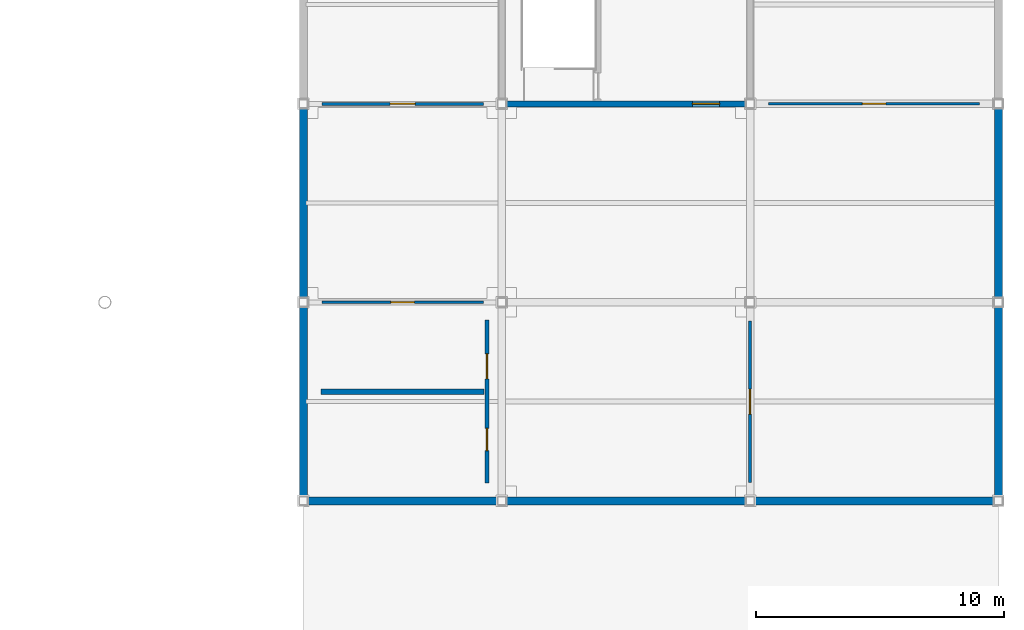
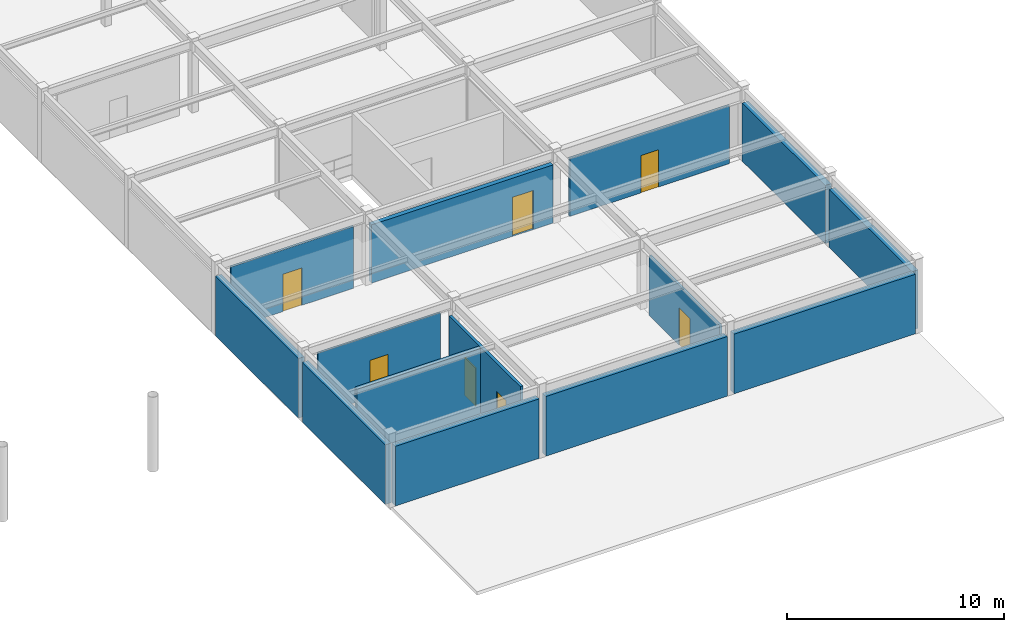
# One storey, part 56 of 78: 14 walls, 7 doors, 7 openings.
"""IFC4 building model written with IfcOpenShell, lengths in metres."""

from ifc_helpers import new_model, si_unit, direction, frame, frame_2d, origin, place, context, subcontext, project, spatial, rectangle, extrude, material, layer, layer_set, type_object, element, fill, save


model = new_model("IFC4")

# Units and contexts
model_context = context("Model", 3, precision=1e-05, world=origin(), true_north=direction((0.0, 1.0)))
body_context = subcontext(model_context, "Body", "Model", "MODEL_VIEW")
ifc_project = project(units=[si_unit("LENGTHUNIT", "METRE"), si_unit("AREAUNIT", "SQUARE_METRE"), si_unit("VOLUMEUNIT", "CUBIC_METRE"), si_unit("PLANEANGLEUNIT", "RADIAN"), si_unit("MASSUNIT", "GRAM", prefix="KILO")], contexts=[model_context])

# Site, building, storey
site_placement = place(None, origin())
site = spatial("IfcSite", under=ifc_project, at=site_placement, CompositionType="ELEMENT")
building_placement = place(site_placement, origin())
building = spatial("IfcBuilding", under=site, at=building_placement, Name="Haebicheon Civic Stadium", CompositionType="ELEMENT")
storey_placement = place(building_placement, frame((0.0, 0.0, 18.60009765625)))
storey = spatial("IfcBuildingStorey", under=building, at=storey_placement, Name="L05", CompositionType="ELEMENT", Elevation=18.60009765625)

# Wall, opening, door
ifc_material_1 = material(Name="Concrete C40/50", Category="concrete")
ifc_layer_1 = layer(ifc_material_1, 0.239990234375, Name="Concrete C40/50")
ifc_layer_set_1 = layer_set([ifc_layer_1], Name="Concrete C40/50")
wall_type_1 = type_object("IfcWallType", Name="CW-SHR-240", PredefinedType="SHEAR", material=ifc_layer_set_1)
wall_1_placement = place(storey_placement, frame((216.175048828125, 64.0, 0.0), z_axis=(0.0, 0.0, 1.0), x_axis=(1.0, 0.0, 0.0)))
wall_1 = element("IfcWall", 1, at=wall_1_placement, inside=storey, type_object=wall_type_1, material=ifc_layer_set_1, Name="KC-12 L05 south core shear wall", PredefinedType="SHEAR", context=body_context, shape_type="SweptSolid", body=[
    extrude(rectangle(XDim=9.64990234375, YDim=0.239990234375, at=frame_2d((4.824951171875, 0.0))), origin(), (0.0, 0.0, 1.0), 3.27001953125),
])
opening_1_placement = place(wall_1_placement, frame((7.5, 0.0, 0.0)))
opening_1 = element("IfcOpeningElement", 2, at=opening_1_placement, cuts=wall_1, Name="Opening D-L05-KC-12-LOB", PredefinedType="OPENING", context=body_context, shape_type="SweptSolid", body=[
    extrude(rectangle(XDim=1.10009765625, YDim=2.199951171875, at=frame_2d((0.550048828125, 1.10009765625))), frame((0.0, 0.1298828125, 0.0), z_axis=(0.0, -1.0, 0.0), x_axis=(1.0, 0.0, 0.0)), (0.0, 0.0, 1.0), 0.260009765625),
])
ifc_material_2 = material(Name="Galvanised painted steel SM355", Category="steel")
door_type_1 = type_object("IfcDoorType", Name="ID-FD-1100", OperationType="NOTDEFINED", PredefinedType="DOOR", material=ifc_material_2)
door_1_placement = place(opening_1_placement, origin())
door_1 = element("IfcDoor", 3, at=door_1_placement, inside=storey, type_object=door_type_1, material=ifc_material_2, Name="L05 KC-12 lobby fire door", OperationType="SINGLE_SWING_LEFT", OverallHeight=2.199951171875, OverallWidth=1.10009765625, PredefinedType="DOOR", context=body_context, shape_type="SweptSolid", body=[
    extrude(rectangle(XDim=1.10009765625, YDim=2.199951171875, at=frame_2d((0.550048828125, 1.10009765625))), frame((0.0, 0.02490234375, 0.0), z_axis=(0.0, -1.0, 0.0), x_axis=(1.0, 0.0, 0.0)), (0.0, 0.0, 1.0), 0.050048828125),
])
fill(opening_1, door_1)

# Walls
ifc_material_3 = material(Name="Precast concrete C40/50", Category="concrete")
ifc_layer_2 = layer(ifc_material_3, 0.320068359375, Name="Precast concrete C40/50")
ifc_layer_set_2 = layer_set([ifc_layer_2], Name="Precast concrete C40/50")
wall_type_2 = type_object("IfcWallType", Name="EW-BM-320", PredefinedType="SOLIDWALL", material=ifc_layer_set_2)
for number, where, z_axis, x_axis, name in (
    (4, (208.175048828125, 48.0, 0.0), (0.0, 0.0, 1.0), (1.0, 0.0, 0.0), "L05 board-marked concrete facade wall 26-06-S"),
    (5, (208.0, 48.175048828125, 0.0), (0.0, 0.0, 1.0), (0.0, 1.0, 0.0), "L05 board-marked concrete facade wall 26-06-W"),
    (6, (208.0, 56.175048828125, 0.0), (0.0, 0.0, 1.0), (0.0, 1.0, 0.0), "L05 board-marked concrete facade wall 26-07-W"),
):
    element("IfcWall", number, at=place(storey_placement, frame(where, z_axis=z_axis, x_axis=x_axis)), inside=storey, type_object=wall_type_2, material=ifc_layer_set_2, Name=name, PredefinedType="SOLIDWALL", context=body_context, shape_type="SweptSolid", body=[
        extrude(rectangle(XDim=7.64990234375, YDim=0.320068359375, at=frame_2d((3.824951171875, 0.0))), origin(), (0.0, 0.0, 1.0), 3.349853515625),
    ])
for number, where, z_axis, x_axis, name in (
    (7, (216.175048828125, 48.0, 0.0), (0.0, 0.0, 1.0), (1.0, 0.0, 0.0), "L05 board-marked concrete facade wall 27-06-S"),
    (8, (226.175048828125, 48.0, 0.0), (0.0, 0.0, 1.0), (1.0, 0.0, 0.0), "L05 board-marked concrete facade wall 28-06-S"),
):
    element("IfcWall", number, at=place(storey_placement, frame(where, z_axis=z_axis, x_axis=x_axis)), inside=storey, type_object=wall_type_2, material=ifc_layer_set_2, Name=name, PredefinedType="SOLIDWALL", context=body_context, shape_type="SweptSolid", body=[
        extrude(rectangle(XDim=9.64990234375, YDim=0.320068359375, at=frame_2d((4.824951171875, 0.0))), origin(), (0.0, 0.0, 1.0), 3.349853515625),
    ])
for number, where, z_axis, x_axis, name in (
    (9, (236.0, 48.175048828125, 0.0), (0.0, 0.0, 1.0), (0.0, 1.0, 0.0), "L05 board-marked concrete facade wall 29-06-E"),
    (10, (236.0, 56.175048828125, 0.0), (0.0, 0.0, 1.0), (0.0, 1.0, 0.0), "L05 board-marked concrete facade wall 29-07-E"),
):
    element("IfcWall", number, at=place(storey_placement, frame(where, z_axis=z_axis, x_axis=x_axis)), inside=storey, type_object=wall_type_2, material=ifc_layer_set_2, Name=name, PredefinedType="SOLIDWALL", context=body_context, shape_type="SweptSolid", body=[
        extrude(rectangle(XDim=7.64990234375, YDim=0.320068359375, at=frame_2d((3.824951171875, 0.0))), origin(), (0.0, 0.0, 1.0), 3.27001953125),
    ])
ifc_material_4 = material(Name="Concrete C35/45", Category="concrete")
ifc_layer_3 = layer(ifc_material_4, 0.219970703125, Name="Concrete C35/45")
ifc_layer_set_3 = layer_set([ifc_layer_3], Name="Concrete C35/45")
wall_type_3 = type_object("IfcWallType", Name="IW-PLB-220", PredefinedType="PLUMBINGWALL", material=ifc_layer_set_3)
wall_2_placement = place(storey_placement, frame((208.719970703125, 52.39990234375, 0.0), z_axis=(0.0, 0.0, 1.0), x_axis=(1.0, 0.0, 0.0)))
element("IfcWall", 11, at=wall_2_placement, inside=storey, type_object=wall_type_3, material=ifc_layer_set_3, Name="L05 sanitary plumbing chase wall 18", PredefinedType="PLUMBINGWALL", context=body_context, shape_type="SweptSolid", body=[
    extrude(rectangle(XDim=6.56005859375, YDim=0.219970703125, at=frame_2d((3.280029296875, 0.0))), origin(), (0.0, 0.0, 1.0), 3.669921875),
])

# Wall, opening, door
ifc_material_5 = material(Name="Anodised aluminium and laminated glass", Category="aluminium")
ifc_layer_4 = layer(ifc_material_5, 0.10009765625, Name="Anodised aluminium and laminated glass")
ifc_layer_set_4 = layer_set([ifc_layer_4], Name="Anodised aluminium and laminated glass")
wall_type_4 = type_object("IfcWallType", Name="IW-PRT-100", PredefinedType="PARTITIONING", material=ifc_layer_set_4)
wall_3_placement = place(storey_placement, frame((208.75, 56.0, 0.0), z_axis=(0.0, 0.0, 1.0), x_axis=(1.0, 0.0, 0.0)))
wall_3 = element("IfcWall", 12, at=wall_3_placement, inside=storey, type_object=wall_type_4, material=ifc_layer_set_4, Name="L05 Community Stand Press Gallery partition wall", PredefinedType="PARTITIONING", context=body_context, shape_type="SweptSolid", body=[
    extrude(rectangle(XDim=6.5, YDim=0.10009765625, at=frame_2d((3.25, 0.0))), origin(), (0.0, 0.0, 1.0), 3.469970703125),
])
opening_2_placement = place(wall_3_placement, frame((2.77490234375, 0.0, 0.0)))
opening_2 = element("IfcOpeningElement", 13, at=opening_2_placement, cuts=wall_3, Name="Opening D-L05-437", PredefinedType="OPENING", context=body_context, shape_type="SweptSolid", body=[
    extrude(rectangle(XDim=0.949951171875, YDim=2.10009765625, at=frame_2d((0.47509765625, 1.050048828125))), frame((0.0, 0.06005859375, 0.0), z_axis=(0.0, -1.0, 0.0), x_axis=(1.0, 0.0, 0.0)), (0.0, 0.0, 1.0), 0.1201171875),
])
ifc_material_6 = material(Name="Engineered hardwood timber", Category="wood")
door_type_2 = type_object("IfcDoorType", Name="ID-RM-0950", OperationType="NOTDEFINED", PredefinedType="DOOR", material=ifc_material_6)
door_2_placement = place(opening_2_placement, origin())
door_2 = element("IfcDoor", 14, at=door_2_placement, inside=storey, type_object=door_type_2, material=ifc_material_6, Name="L05 Community Stand Press Gallery entrance door D-L05-437", OperationType="SINGLE_SWING_RIGHT", OverallHeight=2.10009765625, OverallWidth=0.949951171875, PredefinedType="DOOR", context=body_context, shape_type="SweptSolid", body=[
    extrude(rectangle(XDim=0.949951171875, YDim=2.10009765625, at=frame_2d((0.47509765625, 1.050048828125))), frame((0.0, 0.02490234375, 0.0), z_axis=(0.0, -1.0, 0.0), x_axis=(1.0, 0.0, 0.0)), (0.0, 0.0, 1.0), 0.050048828125),
])
fill(opening_2, door_2)

wall_4_placement = place(storey_placement, frame((226.75, 64.0, 0.0), z_axis=(0.0, 0.0, 1.0), x_axis=(1.0, 0.0, 0.0)))
wall_4 = element("IfcWall", 15, at=wall_4_placement, inside=storey, type_object=wall_type_4, material=ifc_layer_set_4, Name="L05 Community Stand Press Gallery partition wall", PredefinedType="PARTITIONING", context=body_context, shape_type="SweptSolid", body=[
    extrude(rectangle(XDim=8.5, YDim=0.10009765625, at=frame_2d((4.25, 0.0))), origin(), (0.0, 0.0, 1.0), 3.27001953125),
])
opening_3_placement = place(wall_4_placement, frame((3.77490234375, 0.0, 0.0)))
opening_3 = element("IfcOpeningElement", 16, at=opening_3_placement, cuts=wall_4, Name="Opening D-L05-443", PredefinedType="OPENING", context=body_context, shape_type="SweptSolid", body=[
    extrude(rectangle(XDim=0.949951171875, YDim=2.10009765625, at=frame_2d((0.47509765625, 1.050048828125))), frame((0.0, 0.06005859375, 0.0), z_axis=(0.0, -1.0, 0.0), x_axis=(1.0, 0.0, 0.0)), (0.0, 0.0, 1.0), 0.1201171875),
])
door_3_placement = place(opening_3_placement, origin())
door_3 = element("IfcDoor", 17, at=door_3_placement, inside=storey, type_object=door_type_2, material=ifc_material_6, Name="L05 Community Stand Press Gallery entrance door D-L05-443", OperationType="SINGLE_SWING_RIGHT", OverallHeight=2.10009765625, OverallWidth=0.949951171875, PredefinedType="DOOR", context=body_context, shape_type="SweptSolid", body=[
    extrude(rectangle(XDim=0.949951171875, YDim=2.10009765625, at=frame_2d((0.47509765625, 1.050048828125))), frame((0.0, 0.02490234375, 0.0), z_axis=(0.0, -1.0, 0.0), x_axis=(1.0, 0.0, 0.0)), (0.0, 0.0, 1.0), 0.050048828125),
])
fill(opening_3, door_3)

ifc_material_7 = material(Name="Gypsum plasterboard on steel studs", Category="gypsum")
ifc_layer_5 = layer(ifc_material_7, 0.1201171875, Name="Gypsum plasterboard on steel studs")
ifc_layer_set_5 = layer_set([ifc_layer_5], Name="Gypsum plasterboard on steel studs")
wall_type_5 = type_object("IfcWallType", Name="IW-PRT-120", PredefinedType="PARTITIONING", material=ifc_layer_set_5)
wall_5_placement = place(storey_placement, frame((208.75, 64.0, 0.0), z_axis=(0.0, 0.0, 1.0), x_axis=(1.0, 0.0, 0.0)))
wall_5 = element("IfcWall", 18, at=wall_5_placement, inside=storey, type_object=wall_type_5, material=ifc_layer_set_5, Name="L05 Athletics Photo-Finish Control Room partition wall", PredefinedType="PARTITIONING", context=body_context, shape_type="SweptSolid", body=[
    extrude(rectangle(XDim=6.5, YDim=0.1201171875, at=frame_2d((3.25, 0.0))), origin(), (0.0, 0.0, 1.0), 3.469970703125),
])
opening_4_placement = place(wall_5_placement, frame((2.75, 0.0, 0.0)))
opening_4 = element("IfcOpeningElement", 19, at=opening_4_placement, cuts=wall_5, Name="Opening D-L05-438", PredefinedType="OPENING", context=body_context, shape_type="SweptSolid", body=[
    extrude(rectangle(XDim=1.0, YDim=2.10009765625, at=frame_2d((0.5, 1.050048828125))), frame((0.0, 0.070068359375, 0.0), z_axis=(0.0, -1.0, 0.0), x_axis=(1.0, 0.0, 0.0)), (0.0, 0.0, 1.0), 0.14013671875),
])
ifc_material_8 = material(Name="Engineered hardwood timber", Category="wood")
door_type_3 = type_object("IfcDoorType", Name="ID-RM-1000", OperationType="NOTDEFINED", PredefinedType="DOOR", material=ifc_material_8)
door_4_placement = place(opening_4_placement, origin())
door_4 = element("IfcDoor", 20, at=door_4_placement, inside=storey, type_object=door_type_3, material=ifc_material_8, Name="L05 Athletics Photo-Finish Control Room entrance door D-L05-438", OperationType="SINGLE_SWING_LEFT", OverallHeight=2.10009765625, OverallWidth=1.0, PredefinedType="DOOR", context=body_context, shape_type="SweptSolid", body=[
    extrude(rectangle(XDim=1.0, YDim=2.10009765625, at=frame_2d((0.5, 1.050048828125))), frame((0.0, 0.02490234375, 0.0), z_axis=(0.0, -1.0, 0.0), x_axis=(1.0, 0.0, 0.0)), (0.0, 0.0, 1.0), 0.050048828125),
])
fill(opening_4, door_4)

wall_6_placement = place(storey_placement, frame((226.0, 48.75, 0.0), z_axis=(0.0, 0.0, 1.0), x_axis=(0.0, 1.0, 0.0)))
wall_6 = element("IfcWall", 21, at=wall_6_placement, inside=storey, type_object=wall_type_5, material=ifc_layer_set_5, Name="L05 Timekeeping Announcer Booth partition wall", PredefinedType="PARTITIONING", context=body_context, shape_type="SweptSolid", body=[
    extrude(rectangle(XDim=6.5, YDim=0.1201171875, at=frame_2d((3.25, 0.0))), origin(), (0.0, 0.0, 1.0), 3.369873046875),
])
opening_5_placement = place(wall_6_placement, frame((2.75, 0.0, 0.0)))
opening_5 = element("IfcOpeningElement", 22, at=opening_5_placement, cuts=wall_6, Name="Opening D-L05-442", PredefinedType="OPENING", context=body_context, shape_type="SweptSolid", body=[
    extrude(rectangle(XDim=1.0, YDim=2.10009765625, at=frame_2d((0.5, 1.050048828125))), frame((0.0, 0.070068359375, 0.0), z_axis=(0.0, -1.0, 0.0), x_axis=(1.0, 0.0, 0.0)), (0.0, 0.0, 1.0), 0.14013671875),
])
door_5_placement = place(opening_5_placement, origin())
door_5 = element("IfcDoor", 23, at=door_5_placement, inside=storey, type_object=door_type_3, material=ifc_material_8, Name="L05 Timekeeping Announcer Booth entrance door D-L05-442", OperationType="SINGLE_SWING_LEFT", OverallHeight=2.10009765625, OverallWidth=1.0, PredefinedType="DOOR", context=body_context, shape_type="SweptSolid", body=[
    extrude(rectangle(XDim=1.0, YDim=2.10009765625, at=frame_2d((0.5, 1.050048828125))), frame((0.0, 0.02490234375, 0.0), z_axis=(0.0, -1.0, 0.0), x_axis=(1.0, 0.0, 0.0)), (0.0, 0.0, 1.0), 0.050048828125),
])
fill(opening_5, door_5)

# Wall, openings, doors
ifc_material_9 = material(Name="Gypsum plasterboard on steel studs", Category="gypsum")
ifc_layer_6 = layer(ifc_material_9, 0.14990234375, Name="Gypsum plasterboard on steel studs")
ifc_layer_set_6 = layer_set([ifc_layer_6], Name="Gypsum plasterboard on steel studs")
wall_type_6 = type_object("IfcWallType", Name="IW-PRT-150", PredefinedType="PARTITIONING", material=ifc_layer_set_6)
wall_7_placement = place(storey_placement, frame((215.39990234375, 48.719970703125, 0.0), z_axis=(0.0, 0.0, 1.0), x_axis=(0.0, 1.0, 0.0)))
wall_7 = element("IfcWall", 24, at=wall_7_placement, inside=storey, type_object=wall_type_6, material=ifc_layer_set_6, Name="L05 sanitary enclosure front wall 18", PredefinedType="PARTITIONING", context=body_context, shape_type="SweptSolid", body=[
    extrude(rectangle(XDim=6.56005859375, YDim=0.14990234375, at=frame_2d((3.280029296875, 0.0))), origin(), (0.0, 0.0, 1.0), 3.669921875),
])
opening_6_placement = place(wall_7_placement, frame((1.300048828125, 0.0, 0.0)))
opening_6 = element("IfcOpeningElement", 25, at=opening_6_placement, cuts=wall_7, Name="Opening D-L05-WC-18A", PredefinedType="OPENING", context=body_context, shape_type="SweptSolid", body=[
    extrude(rectangle(XDim=0.89990234375, YDim=2.10009765625, at=frame_2d((0.449951171875, 1.050048828125))), frame((0.0, 0.0849609375, 0.0), z_axis=(0.0, -1.0, 0.0), x_axis=(1.0, 0.0, 0.0)), (0.0, 0.0, 1.0), 0.169921875),
])
opening_7_placement = place(wall_7_placement, frame((4.199951171875, 0.0, 0.0)))
opening_7 = element("IfcOpeningElement", 26, at=opening_7_placement, cuts=wall_7, Name="Opening D-L05-AWC-18B", PredefinedType="OPENING", context=body_context, shape_type="SweptSolid", body=[
    extrude(rectangle(XDim=1.0, YDim=2.14990234375, at=frame_2d((0.5, 1.074951171875))), frame((0.0, 0.0849609375, 0.0), z_axis=(0.0, -1.0, 0.0), x_axis=(1.0, 0.0, 0.0)), (0.0, 0.0, 1.0), 0.169921875),
])
ifc_material_10 = material(Name="Anodised aluminium 6063-T6", Category="aluminium")
door_type_4 = type_object("IfcDoorType", Name="ID-AWC-1000", OperationType="NOTDEFINED", PredefinedType="DOOR", material=ifc_material_10)
door_6_placement = place(opening_7_placement, origin())
door_6 = element("IfcDoor", 27, at=door_6_placement, inside=storey, type_object=door_type_4, material=ifc_material_10, Name="L05 accessible WC door 18", OperationType="SINGLE_SWING_LEFT", OverallHeight=2.14990234375, OverallWidth=1.0, PredefinedType="DOOR", context=body_context, shape_type="SweptSolid", body=[
    extrude(rectangle(XDim=1.0, YDim=2.14990234375, at=frame_2d((0.5, 1.074951171875))), frame((0.0, 0.02490234375, 0.0), z_axis=(0.0, -1.0, 0.0), x_axis=(1.0, 0.0, 0.0)), (0.0, 0.0, 1.0), 0.050048828125),
])
fill(opening_7, door_6)
ifc_material_11 = material(Name="Anodised aluminium 6063-T6", Category="aluminium")
door_type_5 = type_object("IfcDoorType", Name="ID-WC-0900", OperationType="NOTDEFINED", PredefinedType="DOOR", material=ifc_material_11)
door_7_placement = place(opening_6_placement, origin())
door_7 = element("IfcDoor", 28, at=door_7_placement, inside=storey, type_object=door_type_5, material=ifc_material_11, Name="L05 public restroom door 18", OperationType="SINGLE_SWING_RIGHT", OverallHeight=2.10009765625, OverallWidth=0.89990234375, PredefinedType="DOOR", context=body_context, shape_type="SweptSolid", body=[
    extrude(rectangle(XDim=0.89990234375, YDim=2.10009765625, at=frame_2d((0.449951171875, 1.050048828125))), frame((0.0, 0.02490234375, 0.0), z_axis=(0.0, -1.0, 0.0), x_axis=(1.0, 0.0, 0.0)), (0.0, 0.0, 1.0), 0.050048828125),
])
fill(opening_6, door_7)

save(model, "model.ifc")
